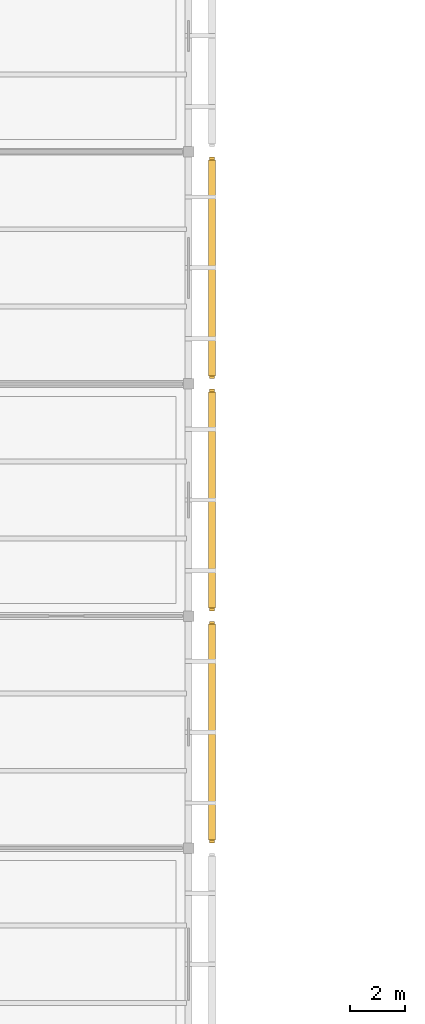
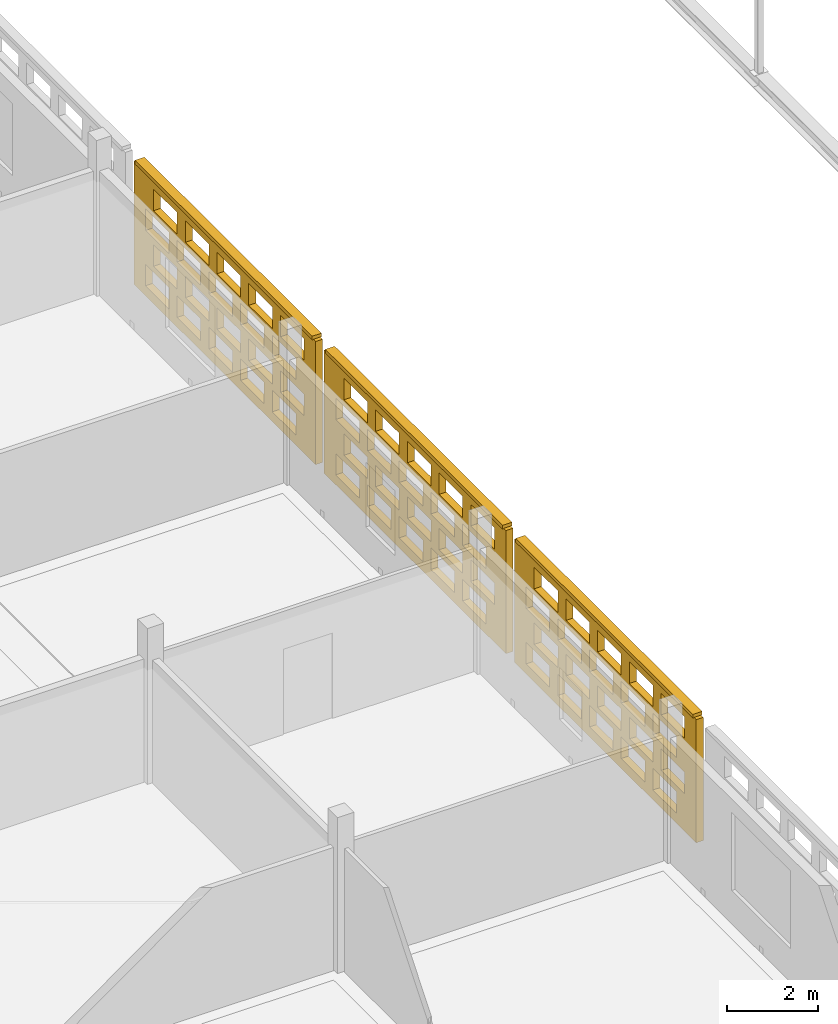
# One storey, part 91 of 103: 3 coverings, 3 shading devices, 60 openings.
"""IFC4 building model written with IfcOpenShell, lengths in metres."""

from ifc_helpers import new_model, si_unit, direction, frame, frame_2d, origin, origin_2d, place, context, subcontext, project, spatial, rectangle, extrude, material, layer, layer_set, type_object, element, save


model = new_model("IFC4")

# Units and contexts
model_context = context("Model", 3, precision=1e-05, world=origin(), true_north=direction((0.0, 1.0)))
body_context = subcontext(model_context, "Body", "Model", "MODEL_VIEW")
ifc_project = project(units=[si_unit("LENGTHUNIT", "METRE"), si_unit("AREAUNIT", "SQUARE_METRE"), si_unit("VOLUMEUNIT", "CUBIC_METRE"), si_unit("PLANEANGLEUNIT", "RADIAN"), si_unit("MASSUNIT", "GRAM", prefix="KILO")], contexts=[model_context])

# Site, building, storey
site_placement = place(None, origin())
site = spatial("IfcSite", under=ifc_project, at=site_placement, CompositionType="ELEMENT")
building_placement = place(site_placement, origin())
building = spatial("IfcBuilding", under=site, at=building_placement, Name="Varnapada Polytechnic", CompositionType="ELEMENT")
storey_placement = place(building_placement, frame((0.0, 0.0, 18.0)))
storey = spatial("IfcBuildingStorey", under=building, at=storey_placement, Name="L04", CompositionType="ELEMENT", Elevation=18.0)

# Covering, openings
ifc_material = material(Name="Earth-toned architectural terracotta screen block", Category="masonry")
ifc_layer_1 = layer(ifc_material, 0.1201171875)
ifc_layer_set_1 = layer_set([ifc_layer_1], Name="Earth-toned architectural terracotta screen block")
covering_type = type_object("IfcCoveringType", Name="Terracotta Screen Cladding CLD-01", PredefinedType="CLADDING", material=ifc_layer_set_1)
covering_1_placement = place(storey_placement, frame((34.449951171875, 83.81005859375, 0.0), z_axis=(0.0, 0.0, 1.0), x_axis=(0.0, -1.0, 0.0)))
covering_1 = element("IfcCovering", 1, at=covering_1_placement, inside=storey, type_object=covering_type, Name="L04 perforated terracotta block screen (27)", PredefinedType="CLADDING", context=body_context, shape_type="SweptSolid", body=[
    extrude(rectangle(XDim=8.02001953125, YDim=0.179931640625, at=frame_2d((4.010009765625, 0.0))), origin(), (0.0, 0.0, 1.0), 3.320068359375),
])
opening_1_placement = place(covering_1_placement, frame((0.510009765625, 0.0, 0.265625)))
element("IfcOpeningElement", 2, at=opening_1_placement, cuts=covering_1, Name="Screen perforation TBS-L04-026.1", PredefinedType="OPENING", context=body_context, shape_type="SweptSolid", body=[
    extrude(rectangle(XDim=1.0400390625, YDim=0.5810546875, at=frame_2d((0.52001953125, 0.29052734375))), frame((0.0, 0.099853515625, 0.0), z_axis=(0.0, -1.0, 0.0), x_axis=(1.0, 0.0, 0.0)), (0.0, 0.0, 1.0), 0.199951171875),
])
opening_2_placement = place(covering_1_placement, frame((1.909912109375, 0.0, 0.265625)))
element("IfcOpeningElement", 3, at=opening_2_placement, cuts=covering_1, Name="Screen perforation TBS-L04-026.2", PredefinedType="OPENING", context=body_context, shape_type="SweptSolid", body=[
    extrude(rectangle(XDim=1.0400390625, YDim=0.5810546875, at=frame_2d((0.52001953125, 0.29052734375))), frame((0.0, 0.099853515625, 0.0), z_axis=(0.0, -1.0, 0.0), x_axis=(1.0, 0.0, 0.0)), (0.0, 0.0, 1.0), 0.199951171875),
])
opening_3_placement = place(covering_1_placement, frame((3.31005859375, 0.0, 0.265625)))
element("IfcOpeningElement", 4, at=opening_3_placement, cuts=covering_1, Name="Screen perforation TBS-L04-026.3", PredefinedType="OPENING", context=body_context, shape_type="SweptSolid", body=[
    extrude(rectangle(XDim=1.0400390625, YDim=0.5810546875, at=frame_2d((0.52001953125, 0.29052734375))), frame((0.0, 0.099853515625, 0.0), z_axis=(0.0, -1.0, 0.0), x_axis=(1.0, 0.0, 0.0)), (0.0, 0.0, 1.0), 0.199951171875),
])
opening_4_placement = place(covering_1_placement, frame((4.7099609375, 0.0, 0.265625)))
element("IfcOpeningElement", 5, at=opening_4_placement, cuts=covering_1, Name="Screen perforation TBS-L04-026.4", PredefinedType="OPENING", context=body_context, shape_type="SweptSolid", body=[
    extrude(rectangle(XDim=1.0400390625, YDim=0.5810546875, at=frame_2d((0.52001953125, 0.29052734375))), frame((0.0, 0.099853515625, 0.0), z_axis=(0.0, -1.0, 0.0), x_axis=(1.0, 0.0, 0.0)), (0.0, 0.0, 1.0), 0.199951171875),
])
opening_5_placement = place(covering_1_placement, frame((6.110107421875, 0.0, 0.265625)))
element("IfcOpeningElement", 6, at=opening_5_placement, cuts=covering_1, Name="Screen perforation TBS-L04-026.5", PredefinedType="OPENING", context=body_context, shape_type="SweptSolid", body=[
    extrude(rectangle(XDim=1.0400390625, YDim=0.5810546875, at=frame_2d((0.52001953125, 0.29052734375))), frame((0.0, 0.099853515625, 0.0), z_axis=(0.0, -1.0, 0.0), x_axis=(1.0, 0.0, 0.0)), (0.0, 0.0, 1.0), 0.199951171875),
])
opening_6_placement = place(covering_1_placement, frame((0.8701171875, 0.0, 1.0126953125)))
element("IfcOpeningElement", 7, at=opening_6_placement, cuts=covering_1, Name="Screen perforation TBS-L04-026.6", PredefinedType="OPENING", context=body_context, shape_type="SweptSolid", body=[
    extrude(rectangle(XDim=1.0400390625, YDim=0.5810546875, at=frame_2d((0.52001953125, 0.29052734375))), frame((0.0, 0.099853515625, 0.0), z_axis=(0.0, -1.0, 0.0), x_axis=(1.0, 0.0, 0.0)), (0.0, 0.0, 1.0), 0.199951171875),
])
opening_7_placement = place(covering_1_placement, frame((2.27001953125, 0.0, 1.0126953125)))
element("IfcOpeningElement", 8, at=opening_7_placement, cuts=covering_1, Name="Screen perforation TBS-L04-026.7", PredefinedType="OPENING", context=body_context, shape_type="SweptSolid", body=[
    extrude(rectangle(XDim=1.0400390625, YDim=0.5810546875, at=frame_2d((0.52001953125, 0.29052734375))), frame((0.0, 0.099853515625, 0.0), z_axis=(0.0, -1.0, 0.0), x_axis=(1.0, 0.0, 0.0)), (0.0, 0.0, 1.0), 0.199951171875),
])
opening_8_placement = place(covering_1_placement, frame((3.669921875, 0.0, 1.0126953125)))
element("IfcOpeningElement", 9, at=opening_8_placement, cuts=covering_1, Name="Screen perforation TBS-L04-026.8", PredefinedType="OPENING", context=body_context, shape_type="SweptSolid", body=[
    extrude(rectangle(XDim=1.0400390625, YDim=0.5810546875, at=frame_2d((0.52001953125, 0.29052734375))), frame((0.0, 0.099853515625, 0.0), z_axis=(0.0, -1.0, 0.0), x_axis=(1.0, 0.0, 0.0)), (0.0, 0.0, 1.0), 0.199951171875),
])
opening_9_placement = place(covering_1_placement, frame((5.070068359375, 0.0, 1.0126953125)))
element("IfcOpeningElement", 10, at=opening_9_placement, cuts=covering_1, Name="Screen perforation TBS-L04-026.9", PredefinedType="OPENING", context=body_context, shape_type="SweptSolid", body=[
    extrude(rectangle(XDim=1.0400390625, YDim=0.5810546875, at=frame_2d((0.52001953125, 0.29052734375))), frame((0.0, 0.099853515625, 0.0), z_axis=(0.0, -1.0, 0.0), x_axis=(1.0, 0.0, 0.0)), (0.0, 0.0, 1.0), 0.199951171875),
])
opening_10_placement = place(covering_1_placement, frame((6.469970703125, 0.0, 1.0126953125)))
element("IfcOpeningElement", 11, at=opening_10_placement, cuts=covering_1, Name="Screen perforation TBS-L04-026.10", PredefinedType="OPENING", context=body_context, shape_type="SweptSolid", body=[
    extrude(rectangle(XDim=1.0400390625, YDim=0.5810546875, at=frame_2d((0.52001953125, 0.29052734375))), frame((0.0, 0.099853515625, 0.0), z_axis=(0.0, -1.0, 0.0), x_axis=(1.0, 0.0, 0.0)), (0.0, 0.0, 1.0), 0.199951171875),
])
opening_11_placement = place(covering_1_placement, frame((0.510009765625, 0.0, 1.759521484375)))
element("IfcOpeningElement", 12, at=opening_11_placement, cuts=covering_1, Name="Screen perforation TBS-L04-026.11", PredefinedType="OPENING", context=body_context, shape_type="SweptSolid", body=[
    extrude(rectangle(XDim=1.0400390625, YDim=0.5810546875, at=frame_2d((0.52001953125, 0.29052734375))), frame((0.0, 0.099853515625, 0.0), z_axis=(0.0, -1.0, 0.0), x_axis=(1.0, 0.0, 0.0)), (0.0, 0.0, 1.0), 0.199951171875),
])
opening_12_placement = place(covering_1_placement, frame((1.909912109375, 0.0, 1.759521484375)))
element("IfcOpeningElement", 13, at=opening_12_placement, cuts=covering_1, Name="Screen perforation TBS-L04-026.12", PredefinedType="OPENING", context=body_context, shape_type="SweptSolid", body=[
    extrude(rectangle(XDim=1.0400390625, YDim=0.5810546875, at=frame_2d((0.52001953125, 0.29052734375))), frame((0.0, 0.099853515625, 0.0), z_axis=(0.0, -1.0, 0.0), x_axis=(1.0, 0.0, 0.0)), (0.0, 0.0, 1.0), 0.199951171875),
])
opening_13_placement = place(covering_1_placement, frame((3.31005859375, 0.0, 1.759521484375)))
element("IfcOpeningElement", 14, at=opening_13_placement, cuts=covering_1, Name="Screen perforation TBS-L04-026.13", PredefinedType="OPENING", context=body_context, shape_type="SweptSolid", body=[
    extrude(rectangle(XDim=1.0400390625, YDim=0.5810546875, at=frame_2d((0.52001953125, 0.29052734375))), frame((0.0, 0.099853515625, 0.0), z_axis=(0.0, -1.0, 0.0), x_axis=(1.0, 0.0, 0.0)), (0.0, 0.0, 1.0), 0.199951171875),
])
opening_14_placement = place(covering_1_placement, frame((4.7099609375, 0.0, 1.759521484375)))
element("IfcOpeningElement", 15, at=opening_14_placement, cuts=covering_1, Name="Screen perforation TBS-L04-026.14", PredefinedType="OPENING", context=body_context, shape_type="SweptSolid", body=[
    extrude(rectangle(XDim=1.0400390625, YDim=0.5810546875, at=frame_2d((0.52001953125, 0.29052734375))), frame((0.0, 0.099853515625, 0.0), z_axis=(0.0, -1.0, 0.0), x_axis=(1.0, 0.0, 0.0)), (0.0, 0.0, 1.0), 0.199951171875),
])
opening_15_placement = place(covering_1_placement, frame((6.110107421875, 0.0, 1.759521484375)))
element("IfcOpeningElement", 16, at=opening_15_placement, cuts=covering_1, Name="Screen perforation TBS-L04-026.15", PredefinedType="OPENING", context=body_context, shape_type="SweptSolid", body=[
    extrude(rectangle(XDim=1.0400390625, YDim=0.5810546875, at=frame_2d((0.52001953125, 0.29052734375))), frame((0.0, 0.099853515625, 0.0), z_axis=(0.0, -1.0, 0.0), x_axis=(1.0, 0.0, 0.0)), (0.0, 0.0, 1.0), 0.199951171875),
])
opening_16_placement = place(covering_1_placement, frame((0.8701171875, 0.0, 2.506591796875)))
element("IfcOpeningElement", 17, at=opening_16_placement, cuts=covering_1, Name="Screen perforation TBS-L04-026.16", PredefinedType="OPENING", context=body_context, shape_type="SweptSolid", body=[
    extrude(rectangle(XDim=1.0400390625, YDim=0.5810546875, at=frame_2d((0.52001953125, 0.29052734375))), frame((0.0, 0.099853515625, 0.0), z_axis=(0.0, -1.0, 0.0), x_axis=(1.0, 0.0, 0.0)), (0.0, 0.0, 1.0), 0.199951171875),
])
opening_17_placement = place(covering_1_placement, frame((2.27001953125, 0.0, 2.506591796875)))
element("IfcOpeningElement", 18, at=opening_17_placement, cuts=covering_1, Name="Screen perforation TBS-L04-026.17", PredefinedType="OPENING", context=body_context, shape_type="SweptSolid", body=[
    extrude(rectangle(XDim=1.0400390625, YDim=0.5810546875, at=frame_2d((0.52001953125, 0.29052734375))), frame((0.0, 0.099853515625, 0.0), z_axis=(0.0, -1.0, 0.0), x_axis=(1.0, 0.0, 0.0)), (0.0, 0.0, 1.0), 0.199951171875),
])
opening_18_placement = place(covering_1_placement, frame((3.669921875, 0.0, 2.506591796875)))
element("IfcOpeningElement", 19, at=opening_18_placement, cuts=covering_1, Name="Screen perforation TBS-L04-026.18", PredefinedType="OPENING", context=body_context, shape_type="SweptSolid", body=[
    extrude(rectangle(XDim=1.0400390625, YDim=0.5810546875, at=frame_2d((0.52001953125, 0.29052734375))), frame((0.0, 0.099853515625, 0.0), z_axis=(0.0, -1.0, 0.0), x_axis=(1.0, 0.0, 0.0)), (0.0, 0.0, 1.0), 0.199951171875),
])
opening_19_placement = place(covering_1_placement, frame((5.070068359375, 0.0, 2.506591796875)))
element("IfcOpeningElement", 20, at=opening_19_placement, cuts=covering_1, Name="Screen perforation TBS-L04-026.19", PredefinedType="OPENING", context=body_context, shape_type="SweptSolid", body=[
    extrude(rectangle(XDim=1.0400390625, YDim=0.5810546875, at=frame_2d((0.52001953125, 0.29052734375))), frame((0.0, 0.099853515625, 0.0), z_axis=(0.0, -1.0, 0.0), x_axis=(1.0, 0.0, 0.0)), (0.0, 0.0, 1.0), 0.199951171875),
])
opening_20_placement = place(covering_1_placement, frame((6.469970703125, 0.0, 2.506591796875)))
element("IfcOpeningElement", 21, at=opening_20_placement, cuts=covering_1, Name="Screen perforation TBS-L04-026.20", PredefinedType="OPENING", context=body_context, shape_type="SweptSolid", body=[
    extrude(rectangle(XDim=1.0400390625, YDim=0.5810546875, at=frame_2d((0.52001953125, 0.29052734375))), frame((0.0, 0.099853515625, 0.0), z_axis=(0.0, -1.0, 0.0), x_axis=(1.0, 0.0, 0.0)), (0.0, 0.0, 1.0), 0.199951171875),
])

covering_2_placement = place(storey_placement, frame((34.449951171875, 92.2099609375, 0.0), z_axis=(0.0, 0.0, 1.0), x_axis=(0.0, -1.0, 0.0)))
covering_2 = element("IfcCovering", 22, at=covering_2_placement, inside=storey, type_object=covering_type, Name="L04 perforated terracotta block screen (28)", PredefinedType="CLADDING", context=body_context, shape_type="SweptSolid", body=[
    extrude(rectangle(XDim=8.02001953125, YDim=0.179931640625, at=frame_2d((4.010009765625, 0.0))), origin(), (0.0, 0.0, 1.0), 3.320068359375),
])
opening_21_placement = place(covering_2_placement, frame((0.510009765625, 0.0, 0.265625)))
element("IfcOpeningElement", 23, at=opening_21_placement, cuts=covering_2, Name="Screen perforation TBS-L04-027.1", PredefinedType="OPENING", context=body_context, shape_type="SweptSolid", body=[
    extrude(rectangle(XDim=1.0400390625, YDim=0.5810546875, at=frame_2d((0.52001953125, 0.29052734375))), frame((0.0, 0.099853515625, 0.0), z_axis=(0.0, -1.0, 0.0), x_axis=(1.0, 0.0, 0.0)), (0.0, 0.0, 1.0), 0.199951171875),
])
opening_22_placement = place(covering_2_placement, frame((1.909912109375, 0.0, 0.265625)))
element("IfcOpeningElement", 24, at=opening_22_placement, cuts=covering_2, Name="Screen perforation TBS-L04-027.2", PredefinedType="OPENING", context=body_context, shape_type="SweptSolid", body=[
    extrude(rectangle(XDim=1.0400390625, YDim=0.5810546875, at=frame_2d((0.52001953125, 0.29052734375))), frame((0.0, 0.099853515625, 0.0), z_axis=(0.0, -1.0, 0.0), x_axis=(1.0, 0.0, 0.0)), (0.0, 0.0, 1.0), 0.199951171875),
])
opening_23_placement = place(covering_2_placement, frame((3.31005859375, 0.0, 0.265625)))
element("IfcOpeningElement", 25, at=opening_23_placement, cuts=covering_2, Name="Screen perforation TBS-L04-027.3", PredefinedType="OPENING", context=body_context, shape_type="SweptSolid", body=[
    extrude(rectangle(XDim=1.0400390625, YDim=0.5810546875, at=frame_2d((0.52001953125, 0.29052734375))), frame((0.0, 0.099853515625, 0.0), z_axis=(0.0, -1.0, 0.0), x_axis=(1.0, 0.0, 0.0)), (0.0, 0.0, 1.0), 0.199951171875),
])
opening_24_placement = place(covering_2_placement, frame((4.7099609375, 0.0, 0.265625)))
element("IfcOpeningElement", 26, at=opening_24_placement, cuts=covering_2, Name="Screen perforation TBS-L04-027.4", PredefinedType="OPENING", context=body_context, shape_type="SweptSolid", body=[
    extrude(rectangle(XDim=1.0400390625, YDim=0.5810546875, at=frame_2d((0.52001953125, 0.29052734375))), frame((0.0, 0.099853515625, 0.0), z_axis=(0.0, -1.0, 0.0), x_axis=(1.0, 0.0, 0.0)), (0.0, 0.0, 1.0), 0.199951171875),
])
opening_25_placement = place(covering_2_placement, frame((6.110107421875, 0.0, 0.265625)))
element("IfcOpeningElement", 27, at=opening_25_placement, cuts=covering_2, Name="Screen perforation TBS-L04-027.5", PredefinedType="OPENING", context=body_context, shape_type="SweptSolid", body=[
    extrude(rectangle(XDim=1.0400390625, YDim=0.5810546875, at=frame_2d((0.52001953125, 0.29052734375))), frame((0.0, 0.099853515625, 0.0), z_axis=(0.0, -1.0, 0.0), x_axis=(1.0, 0.0, 0.0)), (0.0, 0.0, 1.0), 0.199951171875),
])
opening_26_placement = place(covering_2_placement, frame((0.8701171875, 0.0, 1.0126953125)))
element("IfcOpeningElement", 28, at=opening_26_placement, cuts=covering_2, Name="Screen perforation TBS-L04-027.6", PredefinedType="OPENING", context=body_context, shape_type="SweptSolid", body=[
    extrude(rectangle(XDim=1.0400390625, YDim=0.5810546875, at=frame_2d((0.52001953125, 0.29052734375))), frame((0.0, 0.099853515625, 0.0), z_axis=(0.0, -1.0, 0.0), x_axis=(1.0, 0.0, 0.0)), (0.0, 0.0, 1.0), 0.199951171875),
])
opening_27_placement = place(covering_2_placement, frame((2.27001953125, 0.0, 1.0126953125)))
element("IfcOpeningElement", 29, at=opening_27_placement, cuts=covering_2, Name="Screen perforation TBS-L04-027.7", PredefinedType="OPENING", context=body_context, shape_type="SweptSolid", body=[
    extrude(rectangle(XDim=1.0400390625, YDim=0.5810546875, at=frame_2d((0.52001953125, 0.29052734375))), frame((0.0, 0.099853515625, 0.0), z_axis=(0.0, -1.0, 0.0), x_axis=(1.0, 0.0, 0.0)), (0.0, 0.0, 1.0), 0.199951171875),
])
opening_28_placement = place(covering_2_placement, frame((3.669921875, 0.0, 1.0126953125)))
element("IfcOpeningElement", 30, at=opening_28_placement, cuts=covering_2, Name="Screen perforation TBS-L04-027.8", PredefinedType="OPENING", context=body_context, shape_type="SweptSolid", body=[
    extrude(rectangle(XDim=1.0400390625, YDim=0.5810546875, at=frame_2d((0.52001953125, 0.29052734375))), frame((0.0, 0.099853515625, 0.0), z_axis=(0.0, -1.0, 0.0), x_axis=(1.0, 0.0, 0.0)), (0.0, 0.0, 1.0), 0.199951171875),
])
opening_29_placement = place(covering_2_placement, frame((5.070068359375, 0.0, 1.0126953125)))
element("IfcOpeningElement", 31, at=opening_29_placement, cuts=covering_2, Name="Screen perforation TBS-L04-027.9", PredefinedType="OPENING", context=body_context, shape_type="SweptSolid", body=[
    extrude(rectangle(XDim=1.0400390625, YDim=0.5810546875, at=frame_2d((0.52001953125, 0.29052734375))), frame((0.0, 0.099853515625, 0.0), z_axis=(0.0, -1.0, 0.0), x_axis=(1.0, 0.0, 0.0)), (0.0, 0.0, 1.0), 0.199951171875),
])
opening_30_placement = place(covering_2_placement, frame((6.469970703125, 0.0, 1.0126953125)))
element("IfcOpeningElement", 32, at=opening_30_placement, cuts=covering_2, Name="Screen perforation TBS-L04-027.10", PredefinedType="OPENING", context=body_context, shape_type="SweptSolid", body=[
    extrude(rectangle(XDim=1.0400390625, YDim=0.5810546875, at=frame_2d((0.52001953125, 0.29052734375))), frame((0.0, 0.099853515625, 0.0), z_axis=(0.0, -1.0, 0.0), x_axis=(1.0, 0.0, 0.0)), (0.0, 0.0, 1.0), 0.199951171875),
])
opening_31_placement = place(covering_2_placement, frame((0.510009765625, 0.0, 1.759521484375)))
element("IfcOpeningElement", 33, at=opening_31_placement, cuts=covering_2, Name="Screen perforation TBS-L04-027.11", PredefinedType="OPENING", context=body_context, shape_type="SweptSolid", body=[
    extrude(rectangle(XDim=1.0400390625, YDim=0.5810546875, at=frame_2d((0.52001953125, 0.29052734375))), frame((0.0, 0.099853515625, 0.0), z_axis=(0.0, -1.0, 0.0), x_axis=(1.0, 0.0, 0.0)), (0.0, 0.0, 1.0), 0.199951171875),
])
opening_32_placement = place(covering_2_placement, frame((1.909912109375, 0.0, 1.759521484375)))
element("IfcOpeningElement", 34, at=opening_32_placement, cuts=covering_2, Name="Screen perforation TBS-L04-027.12", PredefinedType="OPENING", context=body_context, shape_type="SweptSolid", body=[
    extrude(rectangle(XDim=1.0400390625, YDim=0.5810546875, at=frame_2d((0.52001953125, 0.29052734375))), frame((0.0, 0.099853515625, 0.0), z_axis=(0.0, -1.0, 0.0), x_axis=(1.0, 0.0, 0.0)), (0.0, 0.0, 1.0), 0.199951171875),
])
opening_33_placement = place(covering_2_placement, frame((3.31005859375, 0.0, 1.759521484375)))
element("IfcOpeningElement", 35, at=opening_33_placement, cuts=covering_2, Name="Screen perforation TBS-L04-027.13", PredefinedType="OPENING", context=body_context, shape_type="SweptSolid", body=[
    extrude(rectangle(XDim=1.0400390625, YDim=0.5810546875, at=frame_2d((0.52001953125, 0.29052734375))), frame((0.0, 0.099853515625, 0.0), z_axis=(0.0, -1.0, 0.0), x_axis=(1.0, 0.0, 0.0)), (0.0, 0.0, 1.0), 0.199951171875),
])
opening_34_placement = place(covering_2_placement, frame((4.7099609375, 0.0, 1.759521484375)))
element("IfcOpeningElement", 36, at=opening_34_placement, cuts=covering_2, Name="Screen perforation TBS-L04-027.14", PredefinedType="OPENING", context=body_context, shape_type="SweptSolid", body=[
    extrude(rectangle(XDim=1.0400390625, YDim=0.5810546875, at=frame_2d((0.52001953125, 0.29052734375))), frame((0.0, 0.099853515625, 0.0), z_axis=(0.0, -1.0, 0.0), x_axis=(1.0, 0.0, 0.0)), (0.0, 0.0, 1.0), 0.199951171875),
])
opening_35_placement = place(covering_2_placement, frame((6.110107421875, 0.0, 1.759521484375)))
element("IfcOpeningElement", 37, at=opening_35_placement, cuts=covering_2, Name="Screen perforation TBS-L04-027.15", PredefinedType="OPENING", context=body_context, shape_type="SweptSolid", body=[
    extrude(rectangle(XDim=1.0400390625, YDim=0.5810546875, at=frame_2d((0.52001953125, 0.29052734375))), frame((0.0, 0.099853515625, 0.0), z_axis=(0.0, -1.0, 0.0), x_axis=(1.0, 0.0, 0.0)), (0.0, 0.0, 1.0), 0.199951171875),
])
opening_36_placement = place(covering_2_placement, frame((0.8701171875, 0.0, 2.506591796875)))
element("IfcOpeningElement", 38, at=opening_36_placement, cuts=covering_2, Name="Screen perforation TBS-L04-027.16", PredefinedType="OPENING", context=body_context, shape_type="SweptSolid", body=[
    extrude(rectangle(XDim=1.0400390625, YDim=0.5810546875, at=frame_2d((0.52001953125, 0.29052734375))), frame((0.0, 0.099853515625, 0.0), z_axis=(0.0, -1.0, 0.0), x_axis=(1.0, 0.0, 0.0)), (0.0, 0.0, 1.0), 0.199951171875),
])
opening_37_placement = place(covering_2_placement, frame((2.27001953125, 0.0, 2.506591796875)))
element("IfcOpeningElement", 39, at=opening_37_placement, cuts=covering_2, Name="Screen perforation TBS-L04-027.17", PredefinedType="OPENING", context=body_context, shape_type="SweptSolid", body=[
    extrude(rectangle(XDim=1.0400390625, YDim=0.5810546875, at=frame_2d((0.52001953125, 0.29052734375))), frame((0.0, 0.099853515625, 0.0), z_axis=(0.0, -1.0, 0.0), x_axis=(1.0, 0.0, 0.0)), (0.0, 0.0, 1.0), 0.199951171875),
])
opening_38_placement = place(covering_2_placement, frame((3.669921875, 0.0, 2.506591796875)))
element("IfcOpeningElement", 40, at=opening_38_placement, cuts=covering_2, Name="Screen perforation TBS-L04-027.18", PredefinedType="OPENING", context=body_context, shape_type="SweptSolid", body=[
    extrude(rectangle(XDim=1.0400390625, YDim=0.5810546875, at=frame_2d((0.52001953125, 0.29052734375))), frame((0.0, 0.099853515625, 0.0), z_axis=(0.0, -1.0, 0.0), x_axis=(1.0, 0.0, 0.0)), (0.0, 0.0, 1.0), 0.199951171875),
])
opening_39_placement = place(covering_2_placement, frame((5.070068359375, 0.0, 2.506591796875)))
element("IfcOpeningElement", 41, at=opening_39_placement, cuts=covering_2, Name="Screen perforation TBS-L04-027.19", PredefinedType="OPENING", context=body_context, shape_type="SweptSolid", body=[
    extrude(rectangle(XDim=1.0400390625, YDim=0.5810546875, at=frame_2d((0.52001953125, 0.29052734375))), frame((0.0, 0.099853515625, 0.0), z_axis=(0.0, -1.0, 0.0), x_axis=(1.0, 0.0, 0.0)), (0.0, 0.0, 1.0), 0.199951171875),
])
opening_40_placement = place(covering_2_placement, frame((6.469970703125, 0.0, 2.506591796875)))
element("IfcOpeningElement", 42, at=opening_40_placement, cuts=covering_2, Name="Screen perforation TBS-L04-027.20", PredefinedType="OPENING", context=body_context, shape_type="SweptSolid", body=[
    extrude(rectangle(XDim=1.0400390625, YDim=0.5810546875, at=frame_2d((0.52001953125, 0.29052734375))), frame((0.0, 0.099853515625, 0.0), z_axis=(0.0, -1.0, 0.0), x_axis=(1.0, 0.0, 0.0)), (0.0, 0.0, 1.0), 0.199951171875),
])

covering_3_placement = place(storey_placement, frame((34.449951171875, 100.610107421875, 0.0), z_axis=(0.0, 0.0, 1.0), x_axis=(0.0, -1.0, 0.0)))
covering_3 = element("IfcCovering", 43, at=covering_3_placement, inside=storey, type_object=covering_type, Name="L04 perforated terracotta block screen (29)", PredefinedType="CLADDING", context=body_context, shape_type="SweptSolid", body=[
    extrude(rectangle(XDim=8.02001953125, YDim=0.179931640625, at=frame_2d((4.010009765625, 0.0))), origin(), (0.0, 0.0, 1.0), 3.320068359375),
])
opening_41_placement = place(covering_3_placement, frame((0.510009765625, 0.0, 0.265625)))
element("IfcOpeningElement", 44, at=opening_41_placement, cuts=covering_3, Name="Screen perforation TBS-L04-028.1", PredefinedType="OPENING", context=body_context, shape_type="SweptSolid", body=[
    extrude(rectangle(XDim=1.0400390625, YDim=0.5810546875, at=frame_2d((0.52001953125, 0.29052734375))), frame((0.0, 0.099853515625, 0.0), z_axis=(0.0, -1.0, 0.0), x_axis=(1.0, 0.0, 0.0)), (0.0, 0.0, 1.0), 0.199951171875),
])
opening_42_placement = place(covering_3_placement, frame((1.909912109375, 0.0, 0.265625)))
element("IfcOpeningElement", 45, at=opening_42_placement, cuts=covering_3, Name="Screen perforation TBS-L04-028.2", PredefinedType="OPENING", context=body_context, shape_type="SweptSolid", body=[
    extrude(rectangle(XDim=1.0400390625, YDim=0.5810546875, at=frame_2d((0.52001953125, 0.29052734375))), frame((0.0, 0.099853515625, 0.0), z_axis=(0.0, -1.0, 0.0), x_axis=(1.0, 0.0, 0.0)), (0.0, 0.0, 1.0), 0.199951171875),
])
opening_43_placement = place(covering_3_placement, frame((3.31005859375, 0.0, 0.265625)))
element("IfcOpeningElement", 46, at=opening_43_placement, cuts=covering_3, Name="Screen perforation TBS-L04-028.3", PredefinedType="OPENING", context=body_context, shape_type="SweptSolid", body=[
    extrude(rectangle(XDim=1.0400390625, YDim=0.5810546875, at=frame_2d((0.52001953125, 0.29052734375))), frame((0.0, 0.099853515625, 0.0), z_axis=(0.0, -1.0, 0.0), x_axis=(1.0, 0.0, 0.0)), (0.0, 0.0, 1.0), 0.199951171875),
])
opening_44_placement = place(covering_3_placement, frame((4.7099609375, 0.0, 0.265625)))
element("IfcOpeningElement", 47, at=opening_44_placement, cuts=covering_3, Name="Screen perforation TBS-L04-028.4", PredefinedType="OPENING", context=body_context, shape_type="SweptSolid", body=[
    extrude(rectangle(XDim=1.0400390625, YDim=0.5810546875, at=frame_2d((0.52001953125, 0.29052734375))), frame((0.0, 0.099853515625, 0.0), z_axis=(0.0, -1.0, 0.0), x_axis=(1.0, 0.0, 0.0)), (0.0, 0.0, 1.0), 0.199951171875),
])
opening_45_placement = place(covering_3_placement, frame((6.110107421875, 0.0, 0.265625)))
element("IfcOpeningElement", 48, at=opening_45_placement, cuts=covering_3, Name="Screen perforation TBS-L04-028.5", PredefinedType="OPENING", context=body_context, shape_type="SweptSolid", body=[
    extrude(rectangle(XDim=1.0400390625, YDim=0.5810546875, at=frame_2d((0.52001953125, 0.29052734375))), frame((0.0, 0.099853515625, 0.0), z_axis=(0.0, -1.0, 0.0), x_axis=(1.0, 0.0, 0.0)), (0.0, 0.0, 1.0), 0.199951171875),
])
opening_46_placement = place(covering_3_placement, frame((0.8701171875, 0.0, 1.0126953125)))
element("IfcOpeningElement", 49, at=opening_46_placement, cuts=covering_3, Name="Screen perforation TBS-L04-028.6", PredefinedType="OPENING", context=body_context, shape_type="SweptSolid", body=[
    extrude(rectangle(XDim=1.0400390625, YDim=0.5810546875, at=frame_2d((0.52001953125, 0.29052734375))), frame((0.0, 0.099853515625, 0.0), z_axis=(0.0, -1.0, 0.0), x_axis=(1.0, 0.0, 0.0)), (0.0, 0.0, 1.0), 0.199951171875),
])
opening_47_placement = place(covering_3_placement, frame((2.27001953125, 0.0, 1.0126953125)))
element("IfcOpeningElement", 50, at=opening_47_placement, cuts=covering_3, Name="Screen perforation TBS-L04-028.7", PredefinedType="OPENING", context=body_context, shape_type="SweptSolid", body=[
    extrude(rectangle(XDim=1.0400390625, YDim=0.5810546875, at=frame_2d((0.52001953125, 0.29052734375))), frame((0.0, 0.099853515625, 0.0), z_axis=(0.0, -1.0, 0.0), x_axis=(1.0, 0.0, 0.0)), (0.0, 0.0, 1.0), 0.199951171875),
])
opening_48_placement = place(covering_3_placement, frame((3.669921875, 0.0, 1.0126953125)))
element("IfcOpeningElement", 51, at=opening_48_placement, cuts=covering_3, Name="Screen perforation TBS-L04-028.8", PredefinedType="OPENING", context=body_context, shape_type="SweptSolid", body=[
    extrude(rectangle(XDim=1.0400390625, YDim=0.5810546875, at=frame_2d((0.52001953125, 0.29052734375))), frame((0.0, 0.099853515625, 0.0), z_axis=(0.0, -1.0, 0.0), x_axis=(1.0, 0.0, 0.0)), (0.0, 0.0, 1.0), 0.199951171875),
])
opening_49_placement = place(covering_3_placement, frame((5.070068359375, 0.0, 1.0126953125)))
element("IfcOpeningElement", 52, at=opening_49_placement, cuts=covering_3, Name="Screen perforation TBS-L04-028.9", PredefinedType="OPENING", context=body_context, shape_type="SweptSolid", body=[
    extrude(rectangle(XDim=1.0400390625, YDim=0.5810546875, at=frame_2d((0.52001953125, 0.29052734375))), frame((0.0, 0.099853515625, 0.0), z_axis=(0.0, -1.0, 0.0), x_axis=(1.0, 0.0, 0.0)), (0.0, 0.0, 1.0), 0.199951171875),
])
opening_50_placement = place(covering_3_placement, frame((6.469970703125, 0.0, 1.0126953125)))
element("IfcOpeningElement", 53, at=opening_50_placement, cuts=covering_3, Name="Screen perforation TBS-L04-028.10", PredefinedType="OPENING", context=body_context, shape_type="SweptSolid", body=[
    extrude(rectangle(XDim=1.0400390625, YDim=0.5810546875, at=frame_2d((0.52001953125, 0.29052734375))), frame((0.0, 0.099853515625, 0.0), z_axis=(0.0, -1.0, 0.0), x_axis=(1.0, 0.0, 0.0)), (0.0, 0.0, 1.0), 0.199951171875),
])
opening_51_placement = place(covering_3_placement, frame((0.510009765625, 0.0, 1.759521484375)))
element("IfcOpeningElement", 54, at=opening_51_placement, cuts=covering_3, Name="Screen perforation TBS-L04-028.11", PredefinedType="OPENING", context=body_context, shape_type="SweptSolid", body=[
    extrude(rectangle(XDim=1.0400390625, YDim=0.5810546875, at=frame_2d((0.52001953125, 0.29052734375))), frame((0.0, 0.099853515625, 0.0), z_axis=(0.0, -1.0, 0.0), x_axis=(1.0, 0.0, 0.0)), (0.0, 0.0, 1.0), 0.199951171875),
])
opening_52_placement = place(covering_3_placement, frame((1.909912109375, 0.0, 1.759521484375)))
element("IfcOpeningElement", 55, at=opening_52_placement, cuts=covering_3, Name="Screen perforation TBS-L04-028.12", PredefinedType="OPENING", context=body_context, shape_type="SweptSolid", body=[
    extrude(rectangle(XDim=1.0400390625, YDim=0.5810546875, at=frame_2d((0.52001953125, 0.29052734375))), frame((0.0, 0.099853515625, 0.0), z_axis=(0.0, -1.0, 0.0), x_axis=(1.0, 0.0, 0.0)), (0.0, 0.0, 1.0), 0.199951171875),
])
opening_53_placement = place(covering_3_placement, frame((3.31005859375, 0.0, 1.759521484375)))
element("IfcOpeningElement", 56, at=opening_53_placement, cuts=covering_3, Name="Screen perforation TBS-L04-028.13", PredefinedType="OPENING", context=body_context, shape_type="SweptSolid", body=[
    extrude(rectangle(XDim=1.0400390625, YDim=0.5810546875, at=frame_2d((0.52001953125, 0.29052734375))), frame((0.0, 0.099853515625, 0.0), z_axis=(0.0, -1.0, 0.0), x_axis=(1.0, 0.0, 0.0)), (0.0, 0.0, 1.0), 0.199951171875),
])
opening_54_placement = place(covering_3_placement, frame((4.7099609375, 0.0, 1.759521484375)))
element("IfcOpeningElement", 57, at=opening_54_placement, cuts=covering_3, Name="Screen perforation TBS-L04-028.14", PredefinedType="OPENING", context=body_context, shape_type="SweptSolid", body=[
    extrude(rectangle(XDim=1.0400390625, YDim=0.5810546875, at=frame_2d((0.52001953125, 0.29052734375))), frame((0.0, 0.099853515625, 0.0), z_axis=(0.0, -1.0, 0.0), x_axis=(1.0, 0.0, 0.0)), (0.0, 0.0, 1.0), 0.199951171875),
])
opening_55_placement = place(covering_3_placement, frame((6.110107421875, 0.0, 1.759521484375)))
element("IfcOpeningElement", 58, at=opening_55_placement, cuts=covering_3, Name="Screen perforation TBS-L04-028.15", PredefinedType="OPENING", context=body_context, shape_type="SweptSolid", body=[
    extrude(rectangle(XDim=1.0400390625, YDim=0.5810546875, at=frame_2d((0.52001953125, 0.29052734375))), frame((0.0, 0.099853515625, 0.0), z_axis=(0.0, -1.0, 0.0), x_axis=(1.0, 0.0, 0.0)), (0.0, 0.0, 1.0), 0.199951171875),
])
opening_56_placement = place(covering_3_placement, frame((0.8701171875, 0.0, 2.506591796875)))
element("IfcOpeningElement", 59, at=opening_56_placement, cuts=covering_3, Name="Screen perforation TBS-L04-028.16", PredefinedType="OPENING", context=body_context, shape_type="SweptSolid", body=[
    extrude(rectangle(XDim=1.0400390625, YDim=0.5810546875, at=frame_2d((0.52001953125, 0.29052734375))), frame((0.0, 0.099853515625, 0.0), z_axis=(0.0, -1.0, 0.0), x_axis=(1.0, 0.0, 0.0)), (0.0, 0.0, 1.0), 0.199951171875),
])
opening_57_placement = place(covering_3_placement, frame((2.27001953125, 0.0, 2.506591796875)))
element("IfcOpeningElement", 60, at=opening_57_placement, cuts=covering_3, Name="Screen perforation TBS-L04-028.17", PredefinedType="OPENING", context=body_context, shape_type="SweptSolid", body=[
    extrude(rectangle(XDim=1.0400390625, YDim=0.5810546875, at=frame_2d((0.52001953125, 0.29052734375))), frame((0.0, 0.099853515625, 0.0), z_axis=(0.0, -1.0, 0.0), x_axis=(1.0, 0.0, 0.0)), (0.0, 0.0, 1.0), 0.199951171875),
])
opening_58_placement = place(covering_3_placement, frame((3.669921875, 0.0, 2.506591796875)))
element("IfcOpeningElement", 61, at=opening_58_placement, cuts=covering_3, Name="Screen perforation TBS-L04-028.18", PredefinedType="OPENING", context=body_context, shape_type="SweptSolid", body=[
    extrude(rectangle(XDim=1.0400390625, YDim=0.5810546875, at=frame_2d((0.52001953125, 0.29052734375))), frame((0.0, 0.099853515625, 0.0), z_axis=(0.0, -1.0, 0.0), x_axis=(1.0, 0.0, 0.0)), (0.0, 0.0, 1.0), 0.199951171875),
])
opening_59_placement = place(covering_3_placement, frame((5.070068359375, 0.0, 2.506591796875)))
element("IfcOpeningElement", 62, at=opening_59_placement, cuts=covering_3, Name="Screen perforation TBS-L04-028.19", PredefinedType="OPENING", context=body_context, shape_type="SweptSolid", body=[
    extrude(rectangle(XDim=1.0400390625, YDim=0.5810546875, at=frame_2d((0.52001953125, 0.29052734375))), frame((0.0, 0.099853515625, 0.0), z_axis=(0.0, -1.0, 0.0), x_axis=(1.0, 0.0, 0.0)), (0.0, 0.0, 1.0), 0.199951171875),
])
opening_60_placement = place(covering_3_placement, frame((6.469970703125, 0.0, 2.506591796875)))
element("IfcOpeningElement", 63, at=opening_60_placement, cuts=covering_3, Name="Screen perforation TBS-L04-028.20", PredefinedType="OPENING", context=body_context, shape_type="SweptSolid", body=[
    extrude(rectangle(XDim=1.0400390625, YDim=0.5810546875, at=frame_2d((0.52001953125, 0.29052734375))), frame((0.0, 0.099853515625, 0.0), z_axis=(0.0, -1.0, 0.0), x_axis=(1.0, 0.0, 0.0)), (0.0, 0.0, 1.0), 0.199951171875),
])

# Shading devices
ifc_layer_2 = layer(ifc_material, 0.179931640625)
ifc_layer_set_2 = layer_set([ifc_layer_2], Name="Earth-toned architectural terracotta screen block")
shading_device_type = type_object("IfcShadingDeviceType", Name="Terracotta Screen SCR-01", PredefinedType="USERDEFINED", material=ifc_layer_set_2)
for number, where, z_axis, x_axis, name in (
    (64, (34.449951171875, 79.800048828125, 3.31005859375), (0.0, 0.0, 1.0), (0.0, -1.0, 0.0), "L04 perforated terracotta screen hood 446"),
    (65, (34.449951171875, 88.199951171875, 3.31005859375), (0.0, 0.0, 1.0), (0.0, -1.0, 0.0), "L04 perforated terracotta screen hood 447"),
    (66, (34.449951171875, 96.60009765625, 3.31005859375), (0.0, 0.0, 1.0), (0.0, -1.0, 0.0), "L04 perforated terracotta screen hood 448"),
):
    element("IfcShadingDevice", number, at=place(storey_placement, frame(where, z_axis=z_axis, x_axis=x_axis)), inside=storey, type_object=shading_device_type, Name=name, ObjectType="SCREEN", PredefinedType="USERDEFINED", context=body_context, shape_type="SweptSolid", body=[
        extrude(rectangle(XDim=7.820068359375, YDim=0.239990234375, at=origin_2d()), origin(), (0.0, 0.0, 1.0), 0.10009765625),
    ])

save(model, "model.ifc")
